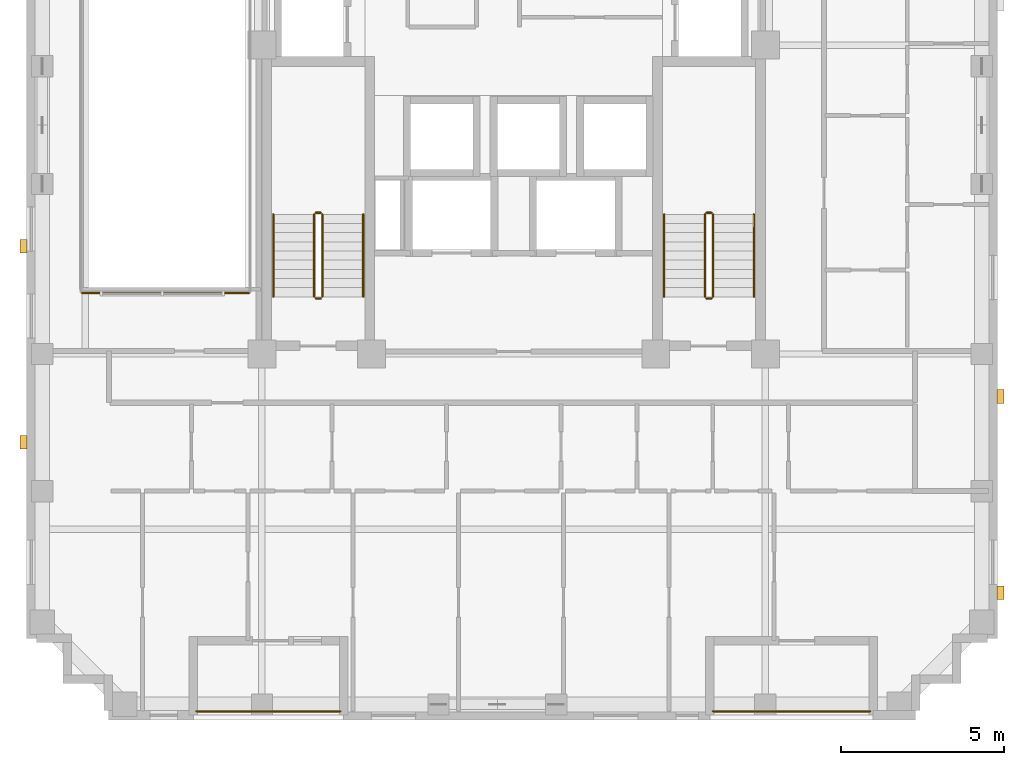
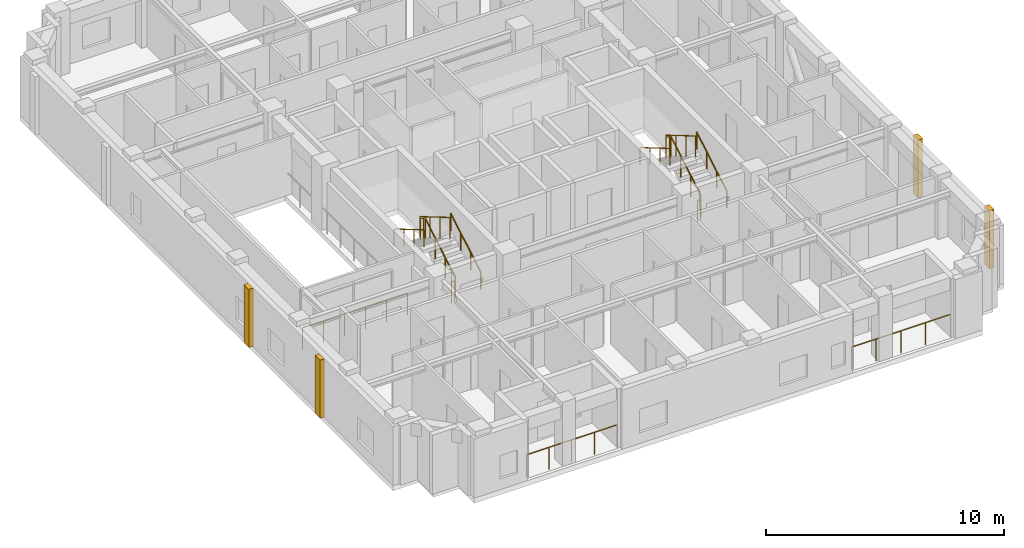
# One storey, part 12 of 13: 15 railings, 4 coverings.
"""IFC4 building model written with IfcOpenShell, lengths in metres."""

from ifc_helpers import new_model, si_unit, derived_unit, direction, frame, origin, origin_2d, place, context, subcontext, project, spatial, rectangle, circle, extrude, material, layer, layer_set, type_object, element, save


model = new_model("IFC4")

# Units and contexts
model_context = context("Model", 3, precision=1e-05, world=origin(), true_north=direction((0.0, 1.0)))
body_context = subcontext(model_context, "Body", "Model", "MODEL_VIEW")
ifc_project = project(units=[si_unit("LENGTHUNIT", "METRE"), si_unit("AREAUNIT", "SQUARE_METRE"), si_unit("VOLUMEUNIT", "CUBIC_METRE"), si_unit("PLANEANGLEUNIT", "RADIAN"), si_unit("MASSUNIT", "GRAM", prefix="KILO"), derived_unit("THERMALTRANSMITTANCEUNIT", [(si_unit("MASSUNIT", "GRAM", prefix="KILO"), 1), (si_unit("TIMEUNIT", "SECOND"), -3), (si_unit("THERMODYNAMICTEMPERATUREUNIT", "KELVIN"), -1)])], contexts=[model_context])

# Site, building, storey
site_placement = place(None, origin())
site = spatial("IfcSite", under=ifc_project, at=site_placement, CompositionType="ELEMENT")
building_placement = place(site_placement, origin())
building = spatial("IfcBuilding", under=site, at=building_placement, Name="Korrvale Station Residences", CompositionType="ELEMENT")
storey_placement = place(building_placement, frame((0.0, 0.0, 177.699951171875)))
storey = spatial("IfcBuildingStorey", under=building, at=storey_placement, Name="L51", CompositionType="ELEMENT", Elevation=177.699951171875)

# Coverings
ifc_material_1 = material(Name="Architectural precast concrete C45/55", Category="concrete")
ifc_layer = layer(ifc_material_1, 0.219970703125, Name="Architectural precast concrete C45/55")
ifc_layer_set = layer_set([ifc_layer], Name="Architectural precast concrete C45/55")
covering_type = type_object("IfcCoveringType", Name="COV-PIER-400", PredefinedType="CLADDING", material=ifc_layer_set)
for number, where, z_axis, x_axis, name in (
    (1, (10.510009765625, 12.300048828125, 0.02490234375), (0.0, 0.0, 1.0), (0.0, 1.0, 0.0), "L51 Architectural Precast Facade Pier 02"),
    (2, (10.510009765625, 18.300048828125, 0.02490234375), (0.0, 0.0, 1.0), (0.0, 1.0, 0.0), "L51 Architectural Precast Facade Pier 03"),
    (3, (40.389892578125, 13.699951171875, 0.02490234375), (0.0, 0.0, 1.0), (0.0, 1.0, 0.0), "L51 Architectural Precast Facade Pier 08"),
    (4, (40.389892578125, 7.699951171875, 0.02490234375), (0.0, 0.0, 1.0), (0.0, 1.0, 0.0), "L51 Architectural Precast Facade Pier 09"),
):
    element("IfcCovering", number, at=place(storey_placement, frame(where, z_axis=z_axis, x_axis=x_axis)), inside=storey, type_object=covering_type, Name=name, PredefinedType="CLADDING", context=body_context, shape_type="SweptSolid", body=[
        extrude(rectangle(XDim=0.419921875, YDim=0.219970703125, at=origin_2d()), origin(), (0.0, 0.0, 1.0), 2.989990234375),
    ])

# Railings
ifc_material_2 = material(Name="Laminated glass and brushed bronze interior atrium balustrade", Category="glass")
railing_type_1 = type_object("IfcRailingType", Name="RLG-ATR-1150", PredefinedType="BALUSTRADE", material=ifc_material_2)
railing_1_placement = place(storey_placement, frame((12.300048828125, 16.860107421875, 0.0)))
element("IfcRailing", 5, at=railing_1_placement, inside=storey, type_object=railing_type_1, Name="L51 Atrium Void Balustrade 1-S", PredefinedType="BALUSTRADE", context=body_context, shape_type="SweptSolid", body=[
    extrude(circle(Radius=0.02392578125, at=origin_2d()), frame((0.0, 0.0, 1.1259765625), z_axis=(1.0, 0.0, 0.0), x_axis=(0.0, 1.0, 0.0)), (0.0, 0.0, 1.0), 5.099853515625),
    extrude(circle(Radius=0.02099609375, at=origin_2d()), origin(), (0.0, 0.0, 1.0), 1.101806640625),
    extrude(circle(Radius=0.02099609375, at=origin_2d()), frame((1.02001953125, 0.0, 0.0)), (0.0, 0.0, 1.0), 1.101806640625),
    extrude(circle(Radius=0.02099609375, at=origin_2d()), frame((2.0400390625, 0.0, 0.0)), (0.0, 0.0, 1.0), 1.101806640625),
    extrude(circle(Radius=0.02099609375, at=origin_2d()), frame((3.059814453125, 0.0, 0.0)), (0.0, 0.0, 1.0), 1.101806640625),
    extrude(circle(Radius=0.02099609375, at=origin_2d()), frame((4.079833984375, 0.0, 0.0)), (0.0, 0.0, 1.0), 1.101806640625),
    extrude(circle(Radius=0.02099609375, at=origin_2d()), frame((5.099853515625, 0.0, 0.0)), (0.0, 0.0, 1.0), 1.101806640625),
])
ifc_material_3 = material(Name="Powder-coated aluminium picket loggia guard", Category="aluminium")
railing_type_2 = type_object("IfcRailingType", Name="RLG-BAL-1150", PredefinedType="GUARDRAIL", material=ifc_material_3)
railing_2_placement = place(storey_placement, frame((31.60009765625, 4.070068359375, 0.0)))
element("IfcRailing", 6, at=railing_2_placement, inside=storey, type_object=railing_type_2, Name="L51 Recessed Loggia Guardrail BAL-L51-S2", PredefinedType="GUARDRAIL", context=body_context, shape_type="SweptSolid", body=[
    extrude(circle(Radius=0.02392578125, at=origin_2d()), frame((0.0, 0.0, 1.1259765625), z_axis=(1.0, 0.0, 0.0), x_axis=(0.0, 1.0, 0.0)), (0.0, 0.0, 1.0), 4.7998046875),
    extrude(circle(Radius=0.02099609375, at=origin_2d()), origin(), (0.0, 0.0, 1.0), 1.101806640625),
    extrude(circle(Radius=0.02099609375, at=origin_2d()), frame((1.199951171875, 0.0, 0.0)), (0.0, 0.0, 1.0), 1.101806640625),
    extrude(circle(Radius=0.02099609375, at=origin_2d()), frame((2.39990234375, 0.0, 0.0)), (0.0, 0.0, 1.0), 1.101806640625),
    extrude(circle(Radius=0.02099609375, at=origin_2d()), frame((3.599853515625, 0.0, 0.0)), (0.0, 0.0, 1.0), 1.101806640625),
    extrude(circle(Radius=0.02099609375, at=origin_2d()), frame((4.7998046875, 0.0, 0.0)), (0.0, 0.0, 1.0), 1.101806640625),
])
railing_3_placement = place(storey_placement, frame((15.800048828125, 4.070068359375, 0.0)))
element("IfcRailing", 7, at=railing_3_placement, inside=storey, type_object=railing_type_2, Name="L51 Recessed Loggia Guardrail BAL-L51-S1", PredefinedType="GUARDRAIL", context=body_context, shape_type="SweptSolid", body=[
    extrude(circle(Radius=0.02392578125, at=origin_2d()), frame((0.0, 0.0, 1.1259765625), z_axis=(1.0, 0.0, 0.0), x_axis=(0.0, 1.0, 0.0)), (0.0, 0.0, 1.0), 4.39990234375),
    extrude(circle(Radius=0.02099609375, at=origin_2d()), origin(), (0.0, 0.0, 1.0), 1.101806640625),
    extrude(circle(Radius=0.02099609375, at=origin_2d()), frame((1.10009765625, 0.0, 0.0)), (0.0, 0.0, 1.0), 1.101806640625),
    extrude(circle(Radius=0.02099609375, at=origin_2d()), frame((2.199951171875, 0.0, 0.0)), (0.0, 0.0, 1.0), 1.101806640625),
    extrude(circle(Radius=0.02099609375, at=origin_2d()), frame((3.2998046875, 0.0, 0.0)), (0.0, 0.0, 1.0), 1.101806640625),
    extrude(circle(Radius=0.02099609375, at=origin_2d()), frame((4.39990234375, 0.0, 0.0)), (0.0, 0.0, 1.0), 1.101806640625),
])
ifc_material_4 = material(Name="Brushed stainless-steel continuous stair handrail", Category="steel")
railing_type_3 = type_object("IfcRailingType", Name="RLG-SHND-900", PredefinedType="HANDRAIL", material=ifc_material_4)
railing_4_placement = place(storey_placement, frame((20.89990234375, 16.75, 0.1650390625)))
element("IfcRailing", 8, at=railing_4_placement, inside=storey, type_object=railing_type_3, Name="L51 ST-1 stair handrail 1", PredefinedType="HANDRAIL", context=body_context, shape_type="SweptSolid", body=[
    extrude(circle(Radius=0.02392578125, at=origin_2d()), frame((0.0, 0.0, 0.8759765625), z_axis=(0.0, 0.86152411907, 0.507716645641), x_axis=(-1.0, 0.0, 0.0)), (0.0, 0.0, 1.0), 2.925048828125),
    extrude(circle(Radius=0.02099609375, at=origin_2d()), origin(), (0.0, 0.0, 1.0), 0.851806640625),
    extrude(circle(Radius=0.02099609375, at=origin_2d()), frame((0.0, 0.840087890625, 0.4951171875)), (0.0, 0.0, 1.0), 0.851806640625),
    extrude(circle(Radius=0.02099609375, at=origin_2d()), frame((0.0, 1.679931640625, 0.989990234375)), (0.0, 0.0, 1.0), 0.851806640625),
    extrude(circle(Radius=0.02099609375, at=origin_2d()), frame((0.0, 2.52001953125, 1.485107421875)), (0.0, 0.0, 1.0), 0.851806640625),
])
railing_5_placement = place(storey_placement, frame((18.14990234375, 19.27001953125, 1.81494140625)))
element("IfcRailing", 9, at=railing_5_placement, inside=storey, type_object=railing_type_3, Name="L51 ST-1 stair handrail 2", PredefinedType="HANDRAIL", context=body_context, shape_type="SweptSolid", body=[
    extrude(circle(Radius=0.02392578125, at=origin_2d()), frame((0.0, 0.0, 0.8759765625), z_axis=(0.0, -0.86152411907, 0.507716645641), x_axis=(1.0, 0.0, 0.0)), (0.0, 0.0, 1.0), 2.925048828125),
    extrude(circle(Radius=0.02099609375, at=origin_2d()), origin(), (0.0, 0.0, 1.0), 0.851806640625),
    extrude(circle(Radius=0.02099609375, at=origin_2d()), frame((0.0, -0.840087890625, 0.4951171875)), (0.0, 0.0, 1.0), 0.851806640625),
    extrude(circle(Radius=0.02099609375, at=origin_2d()), frame((0.0, -1.679931640625, 0.989990234375)), (0.0, 0.0, 1.0), 0.851806640625),
    extrude(circle(Radius=0.02099609375, at=origin_2d()), frame((0.0, -2.52001953125, 1.485107421875)), (0.0, 0.0, 1.0), 0.851806640625),
])
railing_6_placement = place(storey_placement, frame((32.85009765625, 16.75, 0.1650390625)))
element("IfcRailing", 10, at=railing_6_placement, inside=storey, type_object=railing_type_3, Name="L51 ST-2 stair handrail 1", PredefinedType="HANDRAIL", context=body_context, shape_type="SweptSolid", body=[
    extrude(circle(Radius=0.02392578125, at=origin_2d()), frame((0.0, 0.0, 0.8759765625), z_axis=(0.0, 0.86152411907, 0.507716645641), x_axis=(-1.0, 0.0, 0.0)), (0.0, 0.0, 1.0), 2.925048828125),
    extrude(circle(Radius=0.02099609375, at=origin_2d()), origin(), (0.0, 0.0, 1.0), 0.851806640625),
    extrude(circle(Radius=0.02099609375, at=origin_2d()), frame((0.0, 0.840087890625, 0.4951171875)), (0.0, 0.0, 1.0), 0.851806640625),
    extrude(circle(Radius=0.02099609375, at=origin_2d()), frame((0.0, 1.679931640625, 0.989990234375)), (0.0, 0.0, 1.0), 0.851806640625),
    extrude(circle(Radius=0.02099609375, at=origin_2d()), frame((0.0, 2.52001953125, 1.485107421875)), (0.0, 0.0, 1.0), 0.851806640625),
])
railing_7_placement = place(storey_placement, frame((30.10009765625, 19.27001953125, 1.81494140625)))
element("IfcRailing", 11, at=railing_7_placement, inside=storey, type_object=railing_type_3, Name="L51 ST-2 stair handrail 2", PredefinedType="HANDRAIL", context=body_context, shape_type="SweptSolid", body=[
    extrude(circle(Radius=0.02392578125, at=origin_2d()), frame((0.0, 0.0, 0.8759765625), z_axis=(0.0, -0.86152411907, 0.507716645641), x_axis=(1.0, 0.0, 0.0)), (0.0, 0.0, 1.0), 2.925048828125),
    extrude(circle(Radius=0.02099609375, at=origin_2d()), origin(), (0.0, 0.0, 1.0), 0.851806640625),
    extrude(circle(Radius=0.02099609375, at=origin_2d()), frame((0.0, -0.840087890625, 0.4951171875)), (0.0, 0.0, 1.0), 0.851806640625),
    extrude(circle(Radius=0.02099609375, at=origin_2d()), frame((0.0, -1.679931640625, 0.989990234375)), (0.0, 0.0, 1.0), 0.851806640625),
    extrude(circle(Radius=0.02099609375, at=origin_2d()), frame((0.0, -2.52001953125, 1.485107421875)), (0.0, 0.0, 1.0), 0.851806640625),
])
ifc_material_5 = material(Name="Galvanised painted tubular steel stair guard", Category="steel")
railing_type_4 = type_object("IfcRailingType", Name="RLG-STR-1100", PredefinedType="GUARDRAIL", material=ifc_material_5)
railing_8_placement = place(storey_placement, frame((19.64990234375, 16.75, 0.1650390625)))
element("IfcRailing", 12, at=railing_8_placement, inside=storey, type_object=railing_type_4, Name="L51 ST-1 stair guard 1", PredefinedType="GUARDRAIL", context=body_context, shape_type="SweptSolid", body=[
    extrude(circle(Radius=0.02392578125, at=origin_2d()), frame((0.0, 0.0, 1.076171875), z_axis=(0.0, 0.86152411907, 0.507716645641), x_axis=(-1.0, 0.0, 0.0)), (0.0, 0.0, 1.0), 2.925048828125),
    extrude(circle(Radius=0.02099609375, at=origin_2d()), origin(), (0.0, 0.0, 1.0), 1.052001953125),
    extrude(circle(Radius=0.02099609375, at=origin_2d()), frame((0.0, 0.840087890625, 0.4951171875)), (0.0, 0.0, 1.0), 1.052001953125),
    extrude(circle(Radius=0.02099609375, at=origin_2d()), frame((0.0, 1.679931640625, 0.989990234375)), (0.0, 0.0, 1.0), 1.052001953125),
    extrude(circle(Radius=0.02099609375, at=origin_2d()), frame((0.0, 2.52001953125, 1.485107421875)), (0.0, 0.0, 1.0), 1.052001953125),
])
railing_9_placement = place(storey_placement, frame((19.60009765625, 19.320068359375, 1.650146484375)))
element("IfcRailing", 13, at=railing_9_placement, inside=storey, type_object=railing_type_4, Name="L51 ST-1 stair guard 2", PredefinedType="GUARDRAIL", context=body_context, shape_type="SweptSolid", body=[
    extrude(circle(Radius=0.02392578125, at=origin_2d()), frame((0.0, 0.0, 1.076171875), z_axis=(-1.0, 0.0, 0.0), x_axis=(0.0, -1.0, 0.0)), (0.0, 0.0, 1.0), 0.150146484375),
    extrude(circle(Radius=0.02099609375, at=origin_2d()), origin(), (0.0, 0.0, 1.0), 1.052001953125),
    extrude(circle(Radius=0.02099609375, at=origin_2d()), frame((-0.150146484375, 0.0, 0.0)), (0.0, 0.0, 1.0), 1.052001953125),
])
railing_10_placement = place(storey_placement, frame((19.39990234375, 19.27001953125, 1.81494140625)))
element("IfcRailing", 14, at=railing_10_placement, inside=storey, type_object=railing_type_4, Name="L51 ST-1 stair guard 3", PredefinedType="GUARDRAIL", context=body_context, shape_type="SweptSolid", body=[
    extrude(circle(Radius=0.02392578125, at=origin_2d()), frame((0.0, 0.0, 1.076171875), z_axis=(0.0, -0.86152411907, 0.507716645641), x_axis=(1.0, 0.0, 0.0)), (0.0, 0.0, 1.0), 2.925048828125),
    extrude(circle(Radius=0.02099609375, at=origin_2d()), origin(), (0.0, 0.0, 1.0), 1.052001953125),
    extrude(circle(Radius=0.02099609375, at=origin_2d()), frame((0.0, -0.840087890625, 0.4951171875)), (0.0, 0.0, 1.0), 1.052001953125),
    extrude(circle(Radius=0.02099609375, at=origin_2d()), frame((0.0, -1.679931640625, 0.989990234375)), (0.0, 0.0, 1.0), 1.052001953125),
    extrude(circle(Radius=0.02099609375, at=origin_2d()), frame((0.0, -2.52001953125, 1.485107421875)), (0.0, 0.0, 1.0), 1.052001953125),
])
railing_11_placement = place(storey_placement, frame((19.60009765625, 16.699951171875, 0.0)))
element("IfcRailing", 15, at=railing_11_placement, inside=storey, type_object=railing_type_4, Name="L51 ST-1 stair guard 4", PredefinedType="GUARDRAIL", context=body_context, shape_type="SweptSolid", body=[
    extrude(circle(Radius=0.02392578125, at=origin_2d()), frame((0.0, 0.0, 1.076171875), z_axis=(-1.0, 0.0, 0.0), x_axis=(0.0, -1.0, 0.0)), (0.0, 0.0, 1.0), 0.150146484375),
    extrude(circle(Radius=0.02099609375, at=origin_2d()), origin(), (0.0, 0.0, 1.0), 1.052001953125),
    extrude(circle(Radius=0.02099609375, at=origin_2d()), frame((-0.150146484375, 0.0, 0.0)), (0.0, 0.0, 1.0), 1.052001953125),
])
railing_12_placement = place(storey_placement, frame((31.60009765625, 16.75, 0.1650390625)))
element("IfcRailing", 16, at=railing_12_placement, inside=storey, type_object=railing_type_4, Name="L51 ST-2 stair guard 1", PredefinedType="GUARDRAIL", context=body_context, shape_type="SweptSolid", body=[
    extrude(circle(Radius=0.02392578125, at=origin_2d()), frame((0.0, 0.0, 1.076171875), z_axis=(0.0, 0.86152411907, 0.507716645641), x_axis=(-1.0, 0.0, 0.0)), (0.0, 0.0, 1.0), 2.925048828125),
    extrude(circle(Radius=0.02099609375, at=origin_2d()), origin(), (0.0, 0.0, 1.0), 1.052001953125),
    extrude(circle(Radius=0.02099609375, at=origin_2d()), frame((0.0, 0.840087890625, 0.4951171875)), (0.0, 0.0, 1.0), 1.052001953125),
    extrude(circle(Radius=0.02099609375, at=origin_2d()), frame((0.0, 1.679931640625, 0.989990234375)), (0.0, 0.0, 1.0), 1.052001953125),
    extrude(circle(Radius=0.02099609375, at=origin_2d()), frame((0.0, 2.52001953125, 1.485107421875)), (0.0, 0.0, 1.0), 1.052001953125),
])
railing_13_placement = place(storey_placement, frame((31.550048828125, 19.320068359375, 1.650146484375)))
element("IfcRailing", 17, at=railing_13_placement, inside=storey, type_object=railing_type_4, Name="L51 ST-2 stair guard 2", PredefinedType="GUARDRAIL", context=body_context, shape_type="SweptSolid", body=[
    extrude(circle(Radius=0.02392578125, at=origin_2d()), frame((0.0, 0.0, 1.076171875), z_axis=(-1.0, 0.0, 0.0), x_axis=(0.0, -1.0, 0.0)), (0.0, 0.0, 1.0), 0.150146484375),
    extrude(circle(Radius=0.02099609375, at=origin_2d()), origin(), (0.0, 0.0, 1.0), 1.052001953125),
    extrude(circle(Radius=0.02099609375, at=origin_2d()), frame((-0.150146484375, 0.0, 0.0)), (0.0, 0.0, 1.0), 1.052001953125),
])
railing_14_placement = place(storey_placement, frame((31.35009765625, 19.27001953125, 1.81494140625)))
element("IfcRailing", 18, at=railing_14_placement, inside=storey, type_object=railing_type_4, Name="L51 ST-2 stair guard 3", PredefinedType="GUARDRAIL", context=body_context, shape_type="SweptSolid", body=[
    extrude(circle(Radius=0.02392578125, at=origin_2d()), frame((0.0, 0.0, 1.076171875), z_axis=(0.0, -0.86152411907, 0.507716645641), x_axis=(1.0, 0.0, 0.0)), (0.0, 0.0, 1.0), 2.925048828125),
    extrude(circle(Radius=0.02099609375, at=origin_2d()), origin(), (0.0, 0.0, 1.0), 1.052001953125),
    extrude(circle(Radius=0.02099609375, at=origin_2d()), frame((0.0, -0.840087890625, 0.4951171875)), (0.0, 0.0, 1.0), 1.052001953125),
    extrude(circle(Radius=0.02099609375, at=origin_2d()), frame((0.0, -1.679931640625, 0.989990234375)), (0.0, 0.0, 1.0), 1.052001953125),
    extrude(circle(Radius=0.02099609375, at=origin_2d()), frame((0.0, -2.52001953125, 1.485107421875)), (0.0, 0.0, 1.0), 1.052001953125),
])
railing_15_placement = place(storey_placement, frame((31.550048828125, 16.699951171875, 0.0)))
element("IfcRailing", 19, at=railing_15_placement, inside=storey, type_object=railing_type_4, Name="L51 ST-2 stair guard 4", PredefinedType="GUARDRAIL", context=body_context, shape_type="SweptSolid", body=[
    extrude(circle(Radius=0.02392578125, at=origin_2d()), frame((0.0, 0.0, 1.076171875), z_axis=(-1.0, 0.0, 0.0), x_axis=(0.0, -1.0, 0.0)), (0.0, 0.0, 1.0), 0.150146484375),
    extrude(circle(Radius=0.02099609375, at=origin_2d()), origin(), (0.0, 0.0, 1.0), 1.052001953125),
    extrude(circle(Radius=0.02099609375, at=origin_2d()), frame((-0.150146484375, 0.0, 0.0)), (0.0, 0.0, 1.0), 1.052001953125),
])

save(model, "model.ifc")
